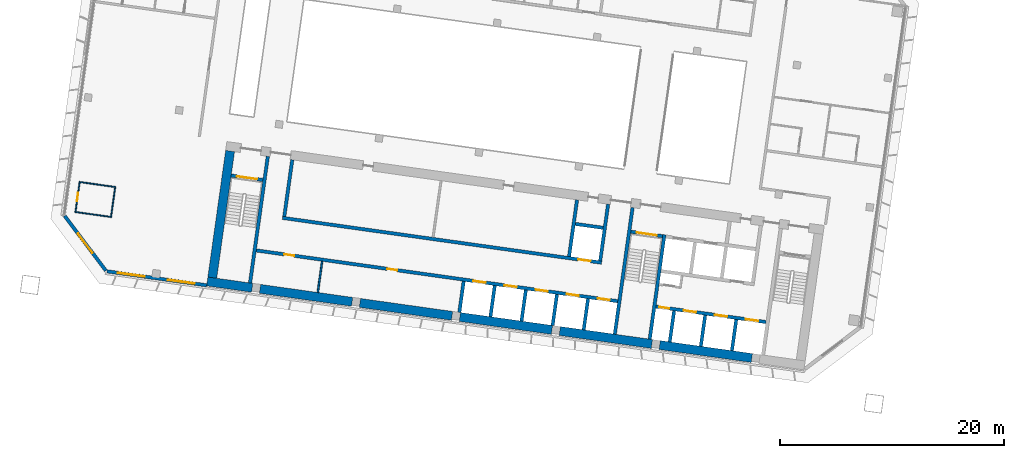
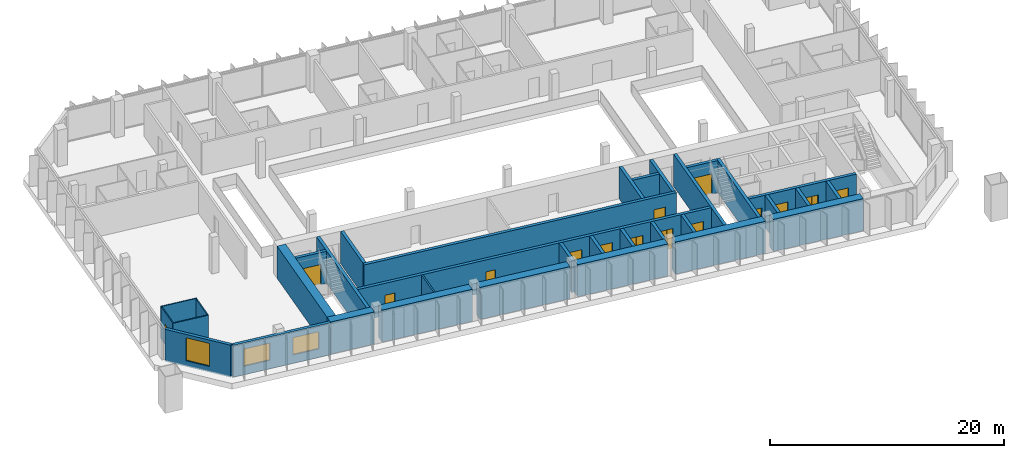
# One storey, part 14 of 25: 34 walls, 15 doors, 3 windows, 18 openings.
"""IFC4 building model written with IfcOpenShell, lengths in metres."""

import ifcopenshell
import ifcopenshell.guid

model = None  # the IFC model being written
_history = None  # IfcOwnerHistory: only IFC2X3 demands one
_inside = {}  # id of a spatial element -> (the spatial element, [elements in it])
_under = {}  # id of a project, library or spatial element -> (it, [spatial elements below it])
_declared = {}  # id of a project -> (the project, [libraries it declares])
_typed = {}  # id of a type object -> (the type object, [elements of that type])
_made_of = {}  # id of a material, layer set ... -> (it, [elements and type objects made of it])


def new_model(schema):
    """Start an empty IFC model of exactly this schema.

    Asked for "IFC4X3", IfcOpenShell would pick the latest addendum, in which some entities
    have other attributes; the version numbers below select the first issue.
    IFC2X3 requires an IfcOwnerHistory on every rooted entity: one is made here for all.
    """
    global model, _history
    if schema == "IFC4X3":
        model = ifcopenshell.file(schema_version=(4, 3, 0, 0))
    else:
        model = ifcopenshell.file(schema=schema)
    _inside.clear()
    _under.clear()
    _declared.clear()
    _typed.clear()
    _made_of.clear()
    _history = None
    if model.schema == "IFC2X3":
        org = make("IfcOrganization", Name="unknown")
        user = make(
            "IfcPersonAndOrganization",
            ThePerson=make("IfcPerson", FamilyName="unknown"),
            TheOrganization=org,
        )
        app = make(
            "IfcApplication",
            ApplicationDeveloper=org,
            Version="unknown",
            ApplicationFullName="unknown",
            ApplicationIdentifier="unknown",
        )
        _history = make(
            "IfcOwnerHistory",
            OwningUser=user,
            OwningApplication=app,
            ChangeAction="ADDED",
            CreationDate=0,
        )
    return model


def make(cls, **values):
    """One entity of the class cls with the attributes given. An attribute that is None is left unset."""
    return model.create_entity(
        cls, **{name: value for name, value in values.items() if value is not None}
    )


def rooted(cls, **values):
    """An entity with a GlobalId (a new one), such as an element, a storey or a relation."""
    return make(cls, GlobalId=ifcopenshell.guid.new(), OwnerHistory=_history, **values)


def si_unit(unit_type, name, prefix=None):
    """IfcSIUnit, for example si_unit("LENGTHUNIT", "METRE", prefix="MILLI")."""
    return make("IfcSIUnit", UnitType=unit_type, Prefix=prefix, Name=name)


def assignment(units):
    """IfcUnitAssignment: the units of a project."""
    return None if units is None else make("IfcUnitAssignment", Units=units)


def point(xyz):
    """IfcCartesianPoint."""
    return None if xyz is None else make("IfcCartesianPoint", Coordinates=xyz)


def direction(xyz):
    """IfcDirection."""
    return None if xyz is None else make("IfcDirection", DirectionRatios=xyz)


def frame(location, z_axis=None, x_axis=None):
    """IfcAxis2Placement3D, a coordinate frame: its origin and axes. An axis left out is left unset."""
    return make(
        "IfcAxis2Placement3D",
        Location=point(location),
        Axis=direction(z_axis),
        RefDirection=direction(x_axis),
    )


def frame_2d(location, x_axis=None):
    """IfcAxis2Placement2D, a coordinate frame in the plane: its origin and x axis."""
    return make(
        "IfcAxis2Placement2D", Location=point(location), RefDirection=direction(x_axis)
    )


def origin():
    """The frame at (0, 0, 0) with its axes left unset."""
    return frame((0.0, 0.0, 0.0))


def place(relative_to, where):
    """IfcLocalPlacement: puts the frame where relative to a parent placement (None: the world)."""
    return make(
        "IfcLocalPlacement", PlacementRelTo=relative_to, RelativePlacement=where
    )


def context(
    kind, dimensions, precision=None, world=None, true_north=None, identifier=None
):
    """IfcGeometricRepresentationContext, for example the 3D "Model" context."""
    return make(
        "IfcGeometricRepresentationContext",
        ContextIdentifier=identifier,
        ContextType=kind,
        CoordinateSpaceDimension=dimensions,
        Precision=precision,
        WorldCoordinateSystem=world,
        TrueNorth=true_north,
    )


def subcontext(parent, identifier, kind, view, scale=None):
    """IfcGeometricRepresentationSubContext, for example "Body" below "Model"."""
    return make(
        "IfcGeometricRepresentationSubContext",
        ContextIdentifier=identifier,
        ContextType=kind,
        ParentContext=parent,
        TargetScale=scale,
        TargetView=view,
    )


def project(units=None, contexts=None):
    """IfcProject with its units and contexts."""
    return rooted(
        "IfcProject",
        Name="project",
        RepresentationContexts=contexts,
        UnitsInContext=assignment(units),
    )


def spatial(cls, under=None, at=None, **own):
    """A site, building, storey or space (cls), placed at a placement, below another one or the project."""
    s = rooted(cls, ObjectPlacement=at, **own)
    if under is not None:
        _under.setdefault(under.id(), (under, []))[1].append(s)
    return s


def profile(cls, at=None, kind="AREA", **sizes):
    """A parametric profile (cls). Its sizes go by their IFC names, for example OverallWidth=200.0."""
    return make(cls, ProfileType=kind, Position=at, **sizes)


def rectangle(**sizes):
    """IfcRectangleProfileDef."""
    return profile("IfcRectangleProfileDef", **sizes)


def extrude(swept, where, along, depth):
    """IfcExtrudedAreaSolid: the profile swept, set in the frame where, extruded along a direction by depth."""
    return make(
        "IfcExtrudedAreaSolid",
        SweptArea=swept,
        Position=where,
        ExtrudedDirection=direction(along),
        Depth=depth,
    )


def shape(context_of_items, identifier, shape_type, items):
    """IfcShapeRepresentation: the items that make up one representation, for example the "Body"."""
    return make(
        "IfcShapeRepresentation",
        ContextOfItems=context_of_items,
        RepresentationIdentifier=identifier,
        RepresentationType=shape_type,
        Items=items,
    )


def material(Name=None, Category=None):
    """IfcMaterial."""
    return make("IfcMaterial", Name=Name, Category=Category)


def layer(
    of_material, thickness, ventilated=None, Name=None, Category=None, Priority=None
):
    """IfcMaterialLayer: one layer of a wall or slab, of a material (None: an air gap)."""
    return make(
        "IfcMaterialLayer",
        Material=of_material,
        LayerThickness=thickness,
        IsVentilated=ventilated,
        Name=Name,
        Category=Category,
        Priority=Priority,
    )


def layer_set(layers, Name=None):
    """IfcMaterialLayerSet."""
    return make("IfcMaterialLayerSet", MaterialLayers=layers, LayerSetName=Name)


def made_of(thing, what):
    """Note that an element or type object is made of a material, layer set ...; save() writes the relation."""
    if what is not None:
        _made_of.setdefault(what.id(), (what, []))[1].append(thing)
    return thing


def type_object(cls, material=None, **own):
    """A type object (cls), such as IfcWallType, which elements share."""
    return made_of(rooted(cls, **own), material)


def element(
    cls,
    number,
    at=None,
    inside=None,
    cuts=None,
    type_object=None,
    material=None,
    context=None,
    identifier="Body",
    shape_type=None,
    held_by="IfcProductDefinitionShape",
    body=None,
    shapes=None,
    **own,
):
    """One element of the class cls, such as IfcWall. Its Tag is "e" and its number.

    at: its placement. inside: the storey or other place that contains it. cuts: it is an
    opening in that element (IfcRelVoidsElement). A single representation is given by context,
    identifier, shape_type and body (its items); several are given by shapes. held_by: the class
    of the entity that holds the representations. save() writes the other relations.
    """
    e = rooted(cls, Tag="e%d" % number, ObjectPlacement=at, **own)
    if body is not None:
        shapes = [shape(context, identifier, shape_type, body)]
    if shapes is not None:
        e.Representation = make(held_by, Representations=shapes)
    if inside is not None:
        _inside.setdefault(inside.id(), (inside, []))[1].append(e)
    if cuts is not None:
        rooted(
            "IfcRelVoidsElement", RelatingBuildingElement=cuts, RelatedOpeningElement=e
        )
    if type_object is not None:
        _typed.setdefault(type_object.id(), (type_object, []))[1].append(e)
    return made_of(e, material)


def fill(opening, filler):
    """IfcRelFillsElement: the door or window that sits in an opening."""
    return rooted(
        "IfcRelFillsElement",
        RelatingOpeningElement=opening,
        RelatedBuildingElement=filler,
    )


def aggregate(whole, parts):
    """IfcRelAggregates: a whole, such as a stair, and the parts it consists of."""
    return rooted("IfcRelAggregates", RelatingObject=whole, RelatedObjects=parts)


def save(model, path):
    """Write the relations noted so far, then the file.

    IfcRelAggregates (storeys below a building ...), IfcRelContainedInSpatialStructure (elements
    in a storey), IfcRelDefinesByType, IfcRelAssociatesMaterial and IfcRelDeclares: one each for
    every whole, place, type object, material and project.
    """
    for whole, parts in _under.values():
        aggregate(whole, parts)
    for where, things in _inside.values():
        rooted(
            "IfcRelContainedInSpatialStructure",
            RelatedElements=things,
            RelatingStructure=where,
        )
    for kind, things in _typed.values():
        rooted("IfcRelDefinesByType", RelatedObjects=things, RelatingType=kind)
    for what, things in _made_of.values():
        rooted("IfcRelAssociatesMaterial", RelatedObjects=things, RelatingMaterial=what)
    for by, libraries in _declared.values():
        rooted("IfcRelDeclares", RelatingContext=by, RelatedDefinitions=libraries)
    model.write(path)


model = new_model("IFC4")

# Units and contexts
model_context = context("Model", 3, precision=1e-05, world=origin(), true_north=direction((0.0, 1.0)))
body_context = subcontext(model_context, "Body", "Model", "MODEL_VIEW")
ifc_project = project(units=[si_unit("LENGTHUNIT", "METRE"), si_unit("AREAUNIT", "SQUARE_METRE"), si_unit("VOLUMEUNIT", "CUBIC_METRE"), si_unit("PLANEANGLEUNIT", "RADIAN"), si_unit("MASSUNIT", "GRAM", prefix="KILO")], contexts=[model_context])

# Site, building, storey
site_placement = place(None, origin())
site = spatial("IfcSite", under=ifc_project, at=site_placement, CompositionType="ELEMENT")
building_placement = place(site_placement, origin())
building = spatial("IfcBuilding", under=site, at=building_placement, Name="Mirante Cascada Hotel Towers", CompositionType="ELEMENT")
storey_placement = place(building_placement, frame((0.0, 0.0, 129.1)))
storey = spatial("IfcBuildingStorey", under=building, at=storey_placement, Name="L29", CompositionType="ELEMENT", Elevation=129.1)

# Walls
ifc_material_1 = material(Name="Masonry block", Category="masonry")
ifc_layer_1 = layer(ifc_material_1, 0.15)
ifc_layer_set_1 = layer_set([ifc_layer_1], Name="Core room partition 150 block EI 30")
wall_type_1 = type_object("IfcWallType", Name="Core room partition 150 block EI 30", PredefinedType="PARTITIONING", material=ifc_layer_set_1)
wall_1_placement = place(storey_placement, frame((-80.547, -13.174, 0.0), z_axis=(0.0, 0.0, 1.0), x_axis=(0.139176, 0.9902677, 0.0)))
element("IfcWall", 1, at=wall_1_placement, inside=storey, type_object=wall_type_1, Name="Core wall partition T1 L29 4", PredefinedType="PARTITIONING", context=body_context, shape_type="SweptSolid", body=[
    extrude(rectangle(XDim=2.8001, YDim=0.15, at=frame_2d((1.4, 0.0))), origin(), (0.0, 0.0, 1.0), 3.35),
])
ifc_material_2 = material(Name="Plasterboard on metal studs")
ifc_layer_2 = layer(ifc_material_2, 0.1)
ifc_layer_set_2 = layer_set([ifc_layer_2], Name="Partition 100")
wall_type_2 = type_object("IfcWallType", Name="Partition 100", PredefinedType="PARTITIONING", material=ifc_layer_set_2)
wall_2_placement = place(storey_placement, frame((-102.2079, -5.9894, 0.0), z_axis=(0.0, 0.0, 1.0), x_axis=(0.9902664, -0.1391852, 0.0)))
element("IfcWall", 2, at=wall_2_placement, inside=storey, type_object=wall_type_2, Name="Wall 1-L29-01", PredefinedType="PARTITIONING", context=body_context, shape_type="SweptSolid", body=[
    extrude(rectangle(XDim=3.2999, YDim=0.1, at=frame_2d((1.65, 0.0))), origin(), (0.0, 0.0, 1.0), 3.35),
])
wall_3_placement = place(storey_placement, frame((-98.5643, -3.775, 0.0), z_axis=(0.0, 0.0, 1.0), x_axis=(-0.990267, 0.139181, 0.0)))
element("IfcWall", 3, at=wall_3_placement, inside=storey, type_object=wall_type_2, Name="Wall 1-L29-02", PredefinedType="PARTITIONING", context=body_context, shape_type="SweptSolid", body=[
    extrude(rectangle(XDim=3.3, YDim=0.1, at=frame_2d((1.65, 0.0))), origin(), (0.0, 0.0, 1.0), 3.35),
])
wall_4_placement = place(storey_placement, frame((-98.6208, -3.8175, 0.0), z_axis=(0.0, 0.0, 1.0), x_axis=(-0.1391541, -0.9902707, 0.0)))
element("IfcWall", 4, at=wall_4_placement, inside=storey, type_object=wall_type_2, Name="Wall 1-L29-47", PredefinedType="PARTITIONING", context=body_context, shape_type="SweptSolid", body=[
    extrude(rectangle(XDim=2.6, YDim=0.1, at=frame_2d((1.3, 0.0))), origin(), (0.0, 0.0, 1.0), 3.35),
])

# Wall, opening, door
wall_5_placement = place(storey_placement, frame((-101.7896, -3.3722, 0.0), z_axis=(0.0, 0.0, 1.0), x_axis=(-0.1391918, -0.9902654, 0.0)))
wall_5 = element("IfcWall", 5, at=wall_5_placement, inside=storey, type_object=wall_type_2, Name="Wall 1-L29-49", PredefinedType="PARTITIONING", context=body_context, shape_type="SweptSolid", body=[
    extrude(rectangle(XDim=2.6, YDim=0.1, at=frame_2d((1.3, 0.0))), origin(), (0.0, 0.0, 1.0), 3.35),
])
opening_1_placement = place(wall_5_placement, frame((0.9, 0.0, 0.0)))
opening_1 = element("IfcOpeningElement", 6, at=opening_1_placement, cuts=wall_5, Name="Opening D1-L29-29", PredefinedType="OPENING", context=body_context, shape_type="SweptSolid", body=[
    extrude(rectangle(XDim=0.8, YDim=2.1, at=frame_2d((0.4, 1.05))), frame((0.0, 0.05, 0.0), z_axis=(0.0, -1.0, 0.0), x_axis=(1.0, 0.0, 0.0)), (0.0, 0.0, 1.0), 0.1),
])
ifc_material_3 = material(Name="Timber door leaf", Category="wood")
door_type_1 = type_object("IfcDoorType", Name="Bathroom door DG4 800x2100", OperationType="SINGLE_SWING_LEFT", PredefinedType="DOOR", material=ifc_material_3)
door_1_placement = place(opening_1_placement, origin())
door_1 = element("IfcDoor", 7, at=door_1_placement, inside=storey, type_object=door_type_1, Name="Door D1-L29-29", OperationType="SINGLE_SWING_LEFT", OverallHeight=2.1, OverallWidth=0.8, PredefinedType="DOOR", context=body_context, shape_type="SweptSolid", body=[
    extrude(rectangle(XDim=0.8, YDim=2.1, at=frame_2d((0.4, 1.05))), frame((0.0, 0.025, 0.0), z_axis=(0.0, -1.0, 0.0), x_axis=(1.0, 0.0, 0.0)), (0.0, 0.0, 1.0), 0.05),
])
fill(opening_1, door_1)

# Wall, openings, windows
ifc_material_4 = material(Name="Precast concrete C40/50", Category="concrete")
ifc_layer_3 = layer(ifc_material_4, 0.3)
ifc_layer_set_3 = layer_set([ifc_layer_3], Name="Precast concrete C40/50 cladding wall 300")
wall_type_3 = type_object("IfcWallType", Name="Precast concrete C40/50 cladding wall 300", PredefinedType="STANDARD", material=ifc_layer_set_3)
wall_6_placement = place(storey_placement, frame((-90.4551, -12.5388, 0.0), z_axis=(0.0, 0.0, 1.0), x_axis=(-0.9902678, 0.1391749, 0.0)))
wall_6 = element("IfcWall", 8, at=wall_6_placement, inside=storey, type_object=wall_type_3, Name="Rear cladding wall T1 L29 1", PredefinedType="STANDARD", context=body_context, shape_type="SweptSolid", body=[
    extrude(rectangle(XDim=8.9758, YDim=0.3, at=frame_2d((4.4879, 0.0))), origin(), (0.0, 0.0, 1.0), 3.35),
])
opening_2_placement = place(wall_6_placement, frame((1.1012, 0.0, 0.9)))
opening_2 = element("IfcOpeningElement", 9, at=opening_2_placement, cuts=wall_6, Name="Opening W1-29-01", PredefinedType="OPENING", context=body_context, shape_type="SweptSolid", body=[
    extrude(rectangle(XDim=2.4, YDim=1.8, at=frame_2d((1.2, 0.9))), frame((0.0, 0.15, 0.0), z_axis=(0.0, -1.0, 0.0), x_axis=(1.0, 0.0, 0.0)), (0.0, 0.0, 1.0), 0.3),
])
opening_3_placement = place(wall_6_placement, frame((5.5923, 0.0, 0.9)))
opening_3 = element("IfcOpeningElement", 10, at=opening_3_placement, cuts=wall_6, Name="Opening W1-29-02", PredefinedType="OPENING", context=body_context, shape_type="SweptSolid", body=[
    extrude(rectangle(XDim=2.4, YDim=1.8, at=frame_2d((1.2, 0.9))), frame((0.0, 0.15, 0.0), z_axis=(0.0, -1.0, 0.0), x_axis=(1.0, 0.0, 0.0)), (0.0, 0.0, 1.0), 0.3),
])
ifc_material_5 = material(Name="Aluminium frame with clear double glazing", Category="aluminium")
window_type_1 = type_object("IfcWindowType", Name="Punched window 2400x1800", PartitioningType="DOUBLE_PANEL_VERTICAL", PredefinedType="WINDOW", material=ifc_material_5)
window_1_placement = place(opening_2_placement, origin())
window_1 = element("IfcWindow", 11, at=window_1_placement, inside=storey, type_object=window_type_1, Name="Window W1-29-01", OverallHeight=1.8, OverallWidth=2.4, PartitioningType="SINGLE_PANEL", PredefinedType="WINDOW", context=body_context, shape_type="SweptSolid", body=[
    extrude(rectangle(XDim=2.4, YDim=1.8, at=frame_2d((1.2, 0.9))), frame((0.0, 0.03, 0.0), z_axis=(0.0, -1.0, 0.0), x_axis=(1.0, 0.0, 0.0)), (0.0, 0.0, 1.0), 0.06),
])
fill(opening_2, window_1)
window_2_placement = place(opening_3_placement, origin())
window_2 = element("IfcWindow", 12, at=window_2_placement, inside=storey, type_object=window_type_1, Name="Window W1-29-02", OverallHeight=1.8, OverallWidth=2.4, PartitioningType="SINGLE_PANEL", PredefinedType="WINDOW", context=body_context, shape_type="SweptSolid", body=[
    extrude(rectangle(XDim=2.4, YDim=1.8, at=frame_2d((1.2, 0.9))), frame((0.0, 0.03, 0.0), z_axis=(0.0, -1.0, 0.0), x_axis=(1.0, 0.0, 0.0)), (0.0, 0.0, 1.0), 0.06),
])
fill(opening_3, window_2)

# Wall, opening, window
wall_7_placement = place(storey_placement, frame((-99.4424, -11.2313, 0.0), z_axis=(0.0, 0.0, 1.0), x_axis=(-0.6018194, 0.7986322, 0.0)))
wall_7 = element("IfcWall", 13, at=wall_7_placement, inside=storey, type_object=wall_type_3, Name="Corner cladding wall T1 L29 rear outer", PredefinedType="STANDARD", context=body_context, shape_type="SweptSolid", body=[
    extrude(rectangle(XDim=6.1155, YDim=0.3, at=frame_2d((3.0578, 0.0))), origin(), (0.0, 0.0, 1.0), 3.35),
])
opening_4_placement = place(wall_7_placement, frame((1.9576, 0.0, 0.6)))
opening_4 = element("IfcOpeningElement", 14, at=opening_4_placement, cuts=wall_7, Name="Opening W1-29-03", PredefinedType="OPENING", context=body_context, shape_type="SweptSolid", body=[
    extrude(rectangle(XDim=2.2, YDim=2.4, at=frame_2d((1.1, 1.2))), frame((0.0, 0.15, 0.0), z_axis=(0.0, -1.0, 0.0), x_axis=(1.0, 0.0, 0.0)), (0.0, 0.0, 1.0), 0.3),
])
ifc_material_6 = material(Name="Aluminium frame with clear double glazing", Category="aluminium")
window_type_2 = type_object("IfcWindowType", Name="Corner suite window 2200x2400", PartitioningType="DOUBLE_PANEL_VERTICAL", PredefinedType="WINDOW", material=ifc_material_6)
window_3_placement = place(opening_4_placement, origin())
window_3 = element("IfcWindow", 15, at=window_3_placement, inside=storey, type_object=window_type_2, Name="Window W1-29-03", OverallHeight=2.4, OverallWidth=2.2, PartitioningType="SINGLE_PANEL", PredefinedType="WINDOW", context=body_context, shape_type="SweptSolid", body=[
    extrude(rectangle(XDim=2.2, YDim=2.4, at=frame_2d((1.1, 1.2))), frame((0.0, 0.03, 0.0), z_axis=(0.0, -1.0, 0.0), x_axis=(1.0, 0.0, 0.0)), (0.0, 0.0, 1.0), 0.06),
])
fill(opening_4, window_3)

# Walls
ifc_material_7 = material(Name="Concrete C50/60", Category="concrete")
ifc_layer_4 = layer(ifc_material_7, 0.3)
ifc_layer_set_4 = layer_set([ifc_layer_4], Name="RC core wall 300 C50/60")
wall_type_4 = type_object("IfcWallType", Name="RC core wall 300 C50/60", PredefinedType="SHEAR", material=ifc_layer_set_4)
wall_8_placement = place(storey_placement, frame((-50.938, -17.3352, 0.0), z_axis=(0.0, 0.0, 1.0), x_axis=(0.1391706, 0.9902684, 0.0)))
element("IfcWall", 16, at=wall_8_placement, inside=storey, type_object=wall_type_4, Name="Core wall T1:L29:6", PredefinedType="SHEAR", context=body_context, shape_type="SweptSolid", body=[
    extrude(rectangle(XDim=9.4, YDim=0.3, at=frame_2d((4.7, 0.0))), origin(), (0.0, 0.0, 1.0), 3.35),
])
wall_9_placement = place(storey_placement, frame((-54.0574, -16.8968, 0.0), z_axis=(0.0, 0.0, 1.0), x_axis=(0.1391761, 0.9902677, 0.0)))
element("IfcWall", 17, at=wall_9_placement, inside=storey, type_object=wall_type_4, Name="Core wall T1:L29:7", PredefinedType="SHEAR", context=body_context, shape_type="SweptSolid", body=[
    extrude(rectangle(XDim=11.3999, YDim=0.3, at=frame_2d((5.7, 0.0))), origin(), (0.0, 0.0, 1.0), 3.35),
])
wall_10_placement = place(storey_placement, frame((-86.5877, -12.325, 0.0), z_axis=(0.0, 0.0, 1.0), x_axis=(0.1391749, 0.9902678, 0.0)))
element("IfcWall", 18, at=wall_10_placement, inside=storey, type_object=wall_type_4, Name="Core wall T1:L29:8", PredefinedType="SHEAR", context=body_context, shape_type="SweptSolid", body=[
    extrude(rectangle(XDim=11.4, YDim=0.3, at=frame_2d((5.7, 0.0))), origin(), (0.0, 0.0, 1.0), 3.35),
])

# Wall, opening, door
wall_11_placement = place(storey_placement, frame((-49.7992, -8.1544, 0.0), z_axis=(0.0, 0.0, 1.0), x_axis=(-0.9902656, 0.1391909, 0.0)))
wall_11 = element("IfcWall", 19, at=wall_11_placement, inside=storey, type_object=wall_type_4, Name="Core wall T1:L29:10", PredefinedType="SHEAR", context=body_context, shape_type="SweptSolid", body=[
    extrude(rectangle(XDim=2.85, YDim=0.3, at=frame_2d((1.425, 0.0))), origin(), (0.0, 0.0, 1.0), 3.35),
])
opening_5_placement = place(wall_11_placement, frame((0.525, 0.0, 0.0)))
opening_5 = element("IfcOpeningElement", 20, at=opening_5_placement, cuts=wall_11, Name="Opening D1-29-C15", PredefinedType="OPENING", context=body_context, shape_type="SweptSolid", body=[
    extrude(rectangle(XDim=1.8, YDim=2.1, at=frame_2d((0.9, 1.05))), frame((0.0, 0.15, 0.0), z_axis=(0.0, -1.0, 0.0), x_axis=(1.0, 0.0, 0.0)), (0.0, 0.0, 1.0), 0.3),
])
ifc_material_8 = material(Name="Hollow metal fire door leaf")
door_type_2 = type_object("IfcDoorType", Name="Double fire door 1800x2100 FD60", OperationType="DOUBLE_DOOR_SINGLE_SWING", PredefinedType="DOOR", material=ifc_material_8)
door_2_placement = place(opening_5_placement, origin())
door_2 = element("IfcDoor", 21, at=door_2_placement, inside=storey, type_object=door_type_2, Name="Stair door T1 L29 15", OperationType="DOUBLE_DOOR_SINGLE_SWING", OverallHeight=2.1, OverallWidth=1.8, PredefinedType="DOOR", context=body_context, shape_type="SweptSolid", body=[
    extrude(rectangle(XDim=0.895, YDim=2.1, at=frame_2d((0.4475, 1.05))), frame((0.0, 0.025, 0.0), z_axis=(0.0, -1.0, 0.0), x_axis=(1.0, 0.0, 0.0)), (0.0, 0.0, 1.0), 0.05),
    extrude(rectangle(XDim=0.895, YDim=2.1, at=frame_2d((1.3525, 1.05))), frame((0.0, 0.025, 0.0), z_axis=(0.0, -1.0, 0.0), x_axis=(1.0, 0.0, 0.0)), (0.0, 0.0, 1.0), 0.05),
])
fill(opening_5, door_2)

wall_12_placement = place(storey_placement, frame((-85.4489, -3.1441, 0.0), z_axis=(0.0, 0.0, 1.0), x_axis=(-0.9902697, 0.1391613, 0.0)))
wall_12 = element("IfcWall", 22, at=wall_12_placement, inside=storey, type_object=wall_type_4, Name="Core wall T1:L29:11", PredefinedType="SHEAR", context=body_context, shape_type="SweptSolid", body=[
    extrude(rectangle(XDim=2.8499, YDim=0.3, at=frame_2d((1.425, 0.0))), origin(), (0.0, 0.0, 1.0), 3.35),
])
opening_6_placement = place(wall_12_placement, frame((0.525, 0.0, 0.0)))
opening_6 = element("IfcOpeningElement", 23, at=opening_6_placement, cuts=wall_12, Name="Opening D1-29-C17", PredefinedType="OPENING", context=body_context, shape_type="SweptSolid", body=[
    extrude(rectangle(XDim=1.8, YDim=2.1, at=frame_2d((0.9, 1.05))), frame((0.0, 0.15, 0.0), z_axis=(0.0, -1.0, 0.0), x_axis=(1.0, 0.0, 0.0)), (0.0, 0.0, 1.0), 0.3),
])
door_3_placement = place(opening_6_placement, origin())
door_3 = element("IfcDoor", 24, at=door_3_placement, inside=storey, type_object=door_type_2, Name="Stair door T1 L29 17", OperationType="DOUBLE_DOOR_SINGLE_SWING", OverallHeight=2.1, OverallWidth=1.8, PredefinedType="DOOR", context=body_context, shape_type="SweptSolid", body=[
    extrude(rectangle(XDim=0.895, YDim=2.1, at=frame_2d((0.4475, 1.05))), frame((0.0, 0.025, 0.0), z_axis=(0.0, -1.0, 0.0), x_axis=(1.0, 0.0, 0.0)), (0.0, 0.0, 1.0), 0.05),
    extrude(rectangle(XDim=0.895, YDim=2.1, at=frame_2d((1.3525, 1.05))), frame((0.0, 0.025, 0.0), z_axis=(0.0, -1.0, 0.0), x_axis=(1.0, 0.0, 0.0)), (0.0, 0.0, 1.0), 0.05),
])
fill(opening_6, door_3)

# Wall, openings, doors
wall_13_placement = place(storey_placement, frame((-40.5753, -15.8126, 0.0), z_axis=(0.0, 0.0, 1.0), x_axis=(-0.9902682, 0.1391725, 0.0)))
wall_13 = element("IfcWall", 25, at=wall_13_placement, inside=storey, type_object=wall_type_4, Name="Core wall T1:L29:12", PredefinedType="SHEAR", context=body_context, shape_type="SweptSolid", body=[
    extrude(rectangle(XDim=9.8999, YDim=0.3, at=frame_2d((4.95, 0.0))), origin(), (0.0, 0.0, 1.0), 3.35),
])
opening_7_placement = place(wall_13_placement, frame((0.7, 0.0, 0.0)))
opening_7 = element("IfcOpeningElement", 26, at=opening_7_placement, cuts=wall_13, Name="Opening LD", PredefinedType="OPENING", context=body_context, shape_type="SweptSolid", body=[
    extrude(rectangle(XDim=1.1, YDim=2.1, at=frame_2d((0.55, 1.05))), frame((0.0, 0.15, 0.0), z_axis=(0.0, -1.0, 0.0), x_axis=(1.0, 0.0, 0.0)), (0.0, 0.0, 1.0), 0.3),
])
opening_8_placement = place(wall_13_placement, frame((3.5, 0.0, 0.0)))
opening_8 = element("IfcOpeningElement", 27, at=opening_8_placement, cuts=wall_13, Name="Opening LD", PredefinedType="OPENING", context=body_context, shape_type="SweptSolid", body=[
    extrude(rectangle(XDim=1.1, YDim=2.1, at=frame_2d((0.55, 1.05))), frame((0.0, 0.15, 0.0), z_axis=(0.0, -1.0, 0.0), x_axis=(1.0, 0.0, 0.0)), (0.0, 0.0, 1.0), 0.3),
])
opening_9_placement = place(wall_13_placement, frame((6.3, 0.0, 0.0)))
opening_9 = element("IfcOpeningElement", 28, at=opening_9_placement, cuts=wall_13, Name="Opening LD", PredefinedType="OPENING", context=body_context, shape_type="SweptSolid", body=[
    extrude(rectangle(XDim=1.1, YDim=2.1, at=frame_2d((0.55, 1.05))), frame((0.0, 0.15, 0.0), z_axis=(0.0, -1.0, 0.0), x_axis=(1.0, 0.0, 0.0)), (0.0, 0.0, 1.0), 0.3),
])
opening_10_placement = place(wall_13_placement, frame((8.7, 0.0, 0.0)))
opening_10 = element("IfcOpeningElement", 29, at=opening_10_placement, cuts=wall_13, Name="Opening D1-29-C22", PredefinedType="OPENING", context=body_context, shape_type="SweptSolid", body=[
    extrude(rectangle(XDim=0.9, YDim=2.1, at=frame_2d((0.45, 1.05))), frame((0.0, 0.15, 0.0), z_axis=(0.0, -1.0, 0.0), x_axis=(1.0, 0.0, 0.0)), (0.0, 0.0, 1.0), 0.3),
])
ifc_material_9 = material(Name="Hollow metal fire door leaf")
door_type_3 = type_object("IfcDoorType", Name="Fire door 900x2100 FD60", OperationType="NOTDEFINED", PredefinedType="DOOR", material=ifc_material_9)
door_4_placement = place(opening_10_placement, origin())
door_4 = element("IfcDoor", 30, at=door_4_placement, inside=storey, type_object=door_type_3, Name="Riser door T1 L29 22", OperationType="SINGLE_SWING_LEFT", OverallHeight=2.1, OverallWidth=0.9, PredefinedType="DOOR", context=body_context, shape_type="SweptSolid", body=[
    extrude(rectangle(XDim=0.9, YDim=2.1, at=frame_2d((0.45, 1.05))), frame((0.0, 0.025, 0.0), z_axis=(0.0, -1.0, 0.0), x_axis=(1.0, 0.0, 0.0)), (0.0, 0.0, 1.0), 0.05),
])
fill(opening_10, door_4)
ifc_material_10 = material(Name="Stainless steel", Category="steel")
door_type_4 = type_object("IfcDoorType", Name="Lift landing door 1100x2100 EI 120", OperationType="DOUBLE_DOOR_SLIDING", PredefinedType="DOOR", material=ifc_material_10)
door_5_placement = place(opening_7_placement, origin())
door_5 = element("IfcDoor", 31, at=door_5_placement, inside=storey, type_object=door_type_4, Name="Lift landing door HR1-1 L29", OperationType="DOUBLE_DOOR_SLIDING", OverallHeight=2.1, OverallWidth=1.1, PredefinedType="DOOR", context=body_context, shape_type="SweptSolid", body=[
    extrude(rectangle(XDim=0.545, YDim=2.1, at=frame_2d((0.2725, 1.05))), frame((0.0, 0.025, 0.0), z_axis=(0.0, -1.0, 0.0), x_axis=(1.0, 0.0, 0.0)), (0.0, 0.0, 1.0), 0.05),
    extrude(rectangle(XDim=0.545, YDim=2.1, at=frame_2d((0.8275, 1.05))), frame((0.0, 0.025, 0.0), z_axis=(0.0, -1.0, 0.0), x_axis=(1.0, 0.0, 0.0)), (0.0, 0.0, 1.0), 0.05),
])
fill(opening_7, door_5)
door_6_placement = place(opening_8_placement, origin())
door_6 = element("IfcDoor", 32, at=door_6_placement, inside=storey, type_object=door_type_4, Name="Lift landing door HR1-2 L29", OperationType="DOUBLE_DOOR_SLIDING", OverallHeight=2.1, OverallWidth=1.1, PredefinedType="DOOR", context=body_context, shape_type="SweptSolid", body=[
    extrude(rectangle(XDim=0.545, YDim=2.1, at=frame_2d((0.2725, 1.05))), frame((0.0, 0.025, 0.0), z_axis=(0.0, -1.0, 0.0), x_axis=(1.0, 0.0, 0.0)), (0.0, 0.0, 1.0), 0.05),
    extrude(rectangle(XDim=0.545, YDim=2.1, at=frame_2d((0.8275, 1.05))), frame((0.0, 0.025, 0.0), z_axis=(0.0, -1.0, 0.0), x_axis=(1.0, 0.0, 0.0)), (0.0, 0.0, 1.0), 0.05),
])
fill(opening_8, door_6)
door_7_placement = place(opening_9_placement, origin())
door_7 = element("IfcDoor", 33, at=door_7_placement, inside=storey, type_object=door_type_4, Name="Lift landing door HR1-3 L29", OperationType="DOUBLE_DOOR_SLIDING", OverallHeight=2.1, OverallWidth=1.1, PredefinedType="DOOR", context=body_context, shape_type="SweptSolid", body=[
    extrude(rectangle(XDim=0.545, YDim=2.1, at=frame_2d((0.2725, 1.05))), frame((0.0, 0.025, 0.0), z_axis=(0.0, -1.0, 0.0), x_axis=(1.0, 0.0, 0.0)), (0.0, 0.0, 1.0), 0.05),
    extrude(rectangle(XDim=0.545, YDim=2.1, at=frame_2d((0.8275, 1.05))), frame((0.0, 0.025, 0.0), z_axis=(0.0, -1.0, 0.0), x_axis=(1.0, 0.0, 0.0)), (0.0, 0.0, 1.0), 0.05),
])
fill(opening_9, door_7)

# Walls
wall_14_placement = place(storey_placement, frame((-43.61, -18.3651, 0.0), z_axis=(0.0, 0.0, 1.0), x_axis=(0.1391459, 0.9902719, 0.0)))
element("IfcWall", 34, at=wall_14_placement, inside=storey, type_object=wall_type_4, Name="Core wall T1:L29:15", PredefinedType="SHEAR", context=body_context, shape_type="SweptSolid", body=[
    extrude(rectangle(XDim=2.7999, YDim=0.3, at=frame_2d((1.4, 0.0))), origin(), (0.0, 0.0, 1.0), 3.35),
])
wall_15_placement = place(storey_placement, frame((-46.3828, -17.9754, 0.0), z_axis=(0.0, 0.0, 1.0), x_axis=(0.139181, 0.990267, 0.0)))
element("IfcWall", 35, at=wall_15_placement, inside=storey, type_object=wall_type_4, Name="Core wall T1:L29:16", PredefinedType="SHEAR", context=body_context, shape_type="SweptSolid", body=[
    extrude(rectangle(XDim=2.8, YDim=0.3, at=frame_2d((1.4, 0.0))), origin(), (0.0, 0.0, 1.0), 3.35),
])
wall_16_placement = place(storey_placement, frame((-49.1555, -17.5857, 0.0), z_axis=(0.0, 0.0, 1.0), x_axis=(0.1391459, 0.9902719, 0.0)))
element("IfcWall", 36, at=wall_16_placement, inside=storey, type_object=wall_type_4, Name="Core wall T1:L29:17", PredefinedType="SHEAR", context=body_context, shape_type="SweptSolid", body=[
    extrude(rectangle(XDim=2.7999, YDim=0.3, at=frame_2d((1.4, 0.0))), origin(), (0.0, 0.0, 1.0), 3.35),
])

# Wall, openings, doors
wall_17_placement = place(storey_placement, frame((-53.7953, -13.9547, 0.0), z_axis=(0.0, 0.0, 1.0), x_axis=(-0.990268, 0.1391733, 0.0)))
wall_17 = element("IfcWall", 37, at=wall_17_placement, inside=storey, type_object=wall_type_4, Name="Core wall T1:L29:24", PredefinedType="SHEAR", context=body_context, shape_type="SweptSolid", body=[
    extrude(rectangle(XDim=32.5501, YDim=0.3, at=frame_2d((16.275, 0.0))), origin(), (0.0, 0.0, 1.0), 3.35),
])
opening_11_placement = place(wall_17_placement, frame((0.7, 0.0, 0.0)))
opening_11 = element("IfcOpeningElement", 38, at=opening_11_placement, cuts=wall_17, Name="Opening LD", PredefinedType="OPENING", context=body_context, shape_type="SweptSolid", body=[
    extrude(rectangle(XDim=1.1, YDim=2.1, at=frame_2d((0.55, 1.05))), frame((0.0, 0.15, 0.0), z_axis=(0.0, -1.0, 0.0), x_axis=(1.0, 0.0, 0.0)), (0.0, 0.0, 1.0), 0.3),
])
opening_12_placement = place(wall_17_placement, frame((3.5, 0.0, 0.0)))
opening_12 = element("IfcOpeningElement", 39, at=opening_12_placement, cuts=wall_17, Name="Opening LD", PredefinedType="OPENING", context=body_context, shape_type="SweptSolid", body=[
    extrude(rectangle(XDim=1.1, YDim=2.1, at=frame_2d((0.55, 1.05))), frame((0.0, 0.15, 0.0), z_axis=(0.0, -1.0, 0.0), x_axis=(1.0, 0.0, 0.0)), (0.0, 0.0, 1.0), 0.3),
])
opening_13_placement = place(wall_17_placement, frame((6.3, 0.0, 0.0)))
opening_13 = element("IfcOpeningElement", 40, at=opening_13_placement, cuts=wall_17, Name="Opening LD", PredefinedType="OPENING", context=body_context, shape_type="SweptSolid", body=[
    extrude(rectangle(XDim=1.1, YDim=2.1, at=frame_2d((0.55, 1.05))), frame((0.0, 0.15, 0.0), z_axis=(0.0, -1.0, 0.0), x_axis=(1.0, 0.0, 0.0)), (0.0, 0.0, 1.0), 0.3),
])
opening_14_placement = place(wall_17_placement, frame((9.1, 0.0, 0.0)))
opening_14 = element("IfcOpeningElement", 41, at=opening_14_placement, cuts=wall_17, Name="Opening LD", PredefinedType="OPENING", context=body_context, shape_type="SweptSolid", body=[
    extrude(rectangle(XDim=1.1, YDim=2.1, at=frame_2d((0.55, 1.05))), frame((0.0, 0.15, 0.0), z_axis=(0.0, -1.0, 0.0), x_axis=(1.0, 0.0, 0.0)), (0.0, 0.0, 1.0), 0.3),
])
opening_15_placement = place(wall_17_placement, frame((11.9, 0.0, 0.0)))
opening_15 = element("IfcOpeningElement", 42, at=opening_15_placement, cuts=wall_17, Name="Opening LD", PredefinedType="OPENING", context=body_context, shape_type="SweptSolid", body=[
    extrude(rectangle(XDim=1.1, YDim=2.1, at=frame_2d((0.55, 1.05))), frame((0.0, 0.15, 0.0), z_axis=(0.0, -1.0, 0.0), x_axis=(1.0, 0.0, 0.0)), (0.0, 0.0, 1.0), 0.3),
])
opening_16_placement = place(wall_17_placement, frame((19.85, 0.0, 0.0)))
opening_16 = element("IfcOpeningElement", 43, at=opening_16_placement, cuts=wall_17, Name="Opening D1-29-C25", PredefinedType="OPENING", context=body_context, shape_type="SweptSolid", body=[
    extrude(rectangle(XDim=0.9, YDim=2.1, at=frame_2d((0.45, 1.05))), frame((0.0, 0.15, 0.0), z_axis=(0.0, -1.0, 0.0), x_axis=(1.0, 0.0, 0.0)), (0.0, 0.0, 1.0), 0.3),
])
opening_17_placement = place(wall_17_placement, frame((29.125, 0.0, 0.0)))
opening_17 = element("IfcOpeningElement", 44, at=opening_17_placement, cuts=wall_17, Name="Opening D1-29-C26", PredefinedType="OPENING", context=body_context, shape_type="SweptSolid", body=[
    extrude(rectangle(XDim=0.9, YDim=2.1, at=frame_2d((0.45, 1.05))), frame((0.0, 0.15, 0.0), z_axis=(0.0, -1.0, 0.0), x_axis=(1.0, 0.0, 0.0)), (0.0, 0.0, 1.0), 0.3),
])
door_8_placement = place(opening_16_placement, origin())
door_8 = element("IfcDoor", 45, at=door_8_placement, inside=storey, type_object=door_type_3, Name="Room door T1 L29 25", OperationType="SINGLE_SWING_LEFT", OverallHeight=2.1, OverallWidth=0.9, PredefinedType="DOOR", context=body_context, shape_type="SweptSolid", body=[
    extrude(rectangle(XDim=0.9, YDim=2.1, at=frame_2d((0.45, 1.05))), frame((0.0, 0.025, 0.0), z_axis=(0.0, -1.0, 0.0), x_axis=(1.0, 0.0, 0.0)), (0.0, 0.0, 1.0), 0.05),
])
fill(opening_16, door_8)
door_9_placement = place(opening_17_placement, origin())
door_9 = element("IfcDoor", 46, at=door_9_placement, inside=storey, type_object=door_type_3, Name="Room door T1 L29 26", OperationType="SINGLE_SWING_LEFT", OverallHeight=2.1, OverallWidth=0.9, PredefinedType="DOOR", context=body_context, shape_type="SweptSolid", body=[
    extrude(rectangle(XDim=0.9, YDim=2.1, at=frame_2d((0.45, 1.05))), frame((0.0, 0.025, 0.0), z_axis=(0.0, -1.0, 0.0), x_axis=(1.0, 0.0, 0.0)), (0.0, 0.0, 1.0), 0.05),
])
fill(opening_17, door_9)
door_10_placement = place(opening_11_placement, origin())
door_10 = element("IfcDoor", 47, at=door_10_placement, inside=storey, type_object=door_type_4, Name="Lift landing door LR1-1 L29", OperationType="DOUBLE_DOOR_SLIDING", OverallHeight=2.1, OverallWidth=1.1, PredefinedType="DOOR", context=body_context, shape_type="SweptSolid", body=[
    extrude(rectangle(XDim=0.545, YDim=2.1, at=frame_2d((0.2725, 1.05))), frame((0.0, 0.025, 0.0), z_axis=(0.0, -1.0, 0.0), x_axis=(1.0, 0.0, 0.0)), (0.0, 0.0, 1.0), 0.05),
    extrude(rectangle(XDim=0.545, YDim=2.1, at=frame_2d((0.8275, 1.05))), frame((0.0, 0.025, 0.0), z_axis=(0.0, -1.0, 0.0), x_axis=(1.0, 0.0, 0.0)), (0.0, 0.0, 1.0), 0.05),
])
fill(opening_11, door_10)
door_11_placement = place(opening_12_placement, origin())
door_11 = element("IfcDoor", 48, at=door_11_placement, inside=storey, type_object=door_type_4, Name="Lift landing door LR1-2 L29", OperationType="DOUBLE_DOOR_SLIDING", OverallHeight=2.1, OverallWidth=1.1, PredefinedType="DOOR", context=body_context, shape_type="SweptSolid", body=[
    extrude(rectangle(XDim=0.545, YDim=2.1, at=frame_2d((0.2725, 1.05))), frame((0.0, 0.025, 0.0), z_axis=(0.0, -1.0, 0.0), x_axis=(1.0, 0.0, 0.0)), (0.0, 0.0, 1.0), 0.05),
    extrude(rectangle(XDim=0.545, YDim=2.1, at=frame_2d((0.8275, 1.05))), frame((0.0, 0.025, 0.0), z_axis=(0.0, -1.0, 0.0), x_axis=(1.0, 0.0, 0.0)), (0.0, 0.0, 1.0), 0.05),
])
fill(opening_12, door_11)
door_12_placement = place(opening_13_placement, origin())
door_12 = element("IfcDoor", 49, at=door_12_placement, inside=storey, type_object=door_type_4, Name="Lift landing door SV1-1 L29", OperationType="DOUBLE_DOOR_SLIDING", OverallHeight=2.1, OverallWidth=1.1, PredefinedType="DOOR", context=body_context, shape_type="SweptSolid", body=[
    extrude(rectangle(XDim=0.545, YDim=2.1, at=frame_2d((0.2725, 1.05))), frame((0.0, 0.025, 0.0), z_axis=(0.0, -1.0, 0.0), x_axis=(1.0, 0.0, 0.0)), (0.0, 0.0, 1.0), 0.05),
    extrude(rectangle(XDim=0.545, YDim=2.1, at=frame_2d((0.8275, 1.05))), frame((0.0, 0.025, 0.0), z_axis=(0.0, -1.0, 0.0), x_axis=(1.0, 0.0, 0.0)), (0.0, 0.0, 1.0), 0.05),
])
fill(opening_13, door_12)
door_13_placement = place(opening_14_placement, origin())
door_13 = element("IfcDoor", 50, at=door_13_placement, inside=storey, type_object=door_type_4, Name="Lift landing door SV1-2 L29", OperationType="DOUBLE_DOOR_SLIDING", OverallHeight=2.1, OverallWidth=1.1, PredefinedType="DOOR", context=body_context, shape_type="SweptSolid", body=[
    extrude(rectangle(XDim=0.545, YDim=2.1, at=frame_2d((0.2725, 1.05))), frame((0.0, 0.025, 0.0), z_axis=(0.0, -1.0, 0.0), x_axis=(1.0, 0.0, 0.0)), (0.0, 0.0, 1.0), 0.05),
    extrude(rectangle(XDim=0.545, YDim=2.1, at=frame_2d((0.8275, 1.05))), frame((0.0, 0.025, 0.0), z_axis=(0.0, -1.0, 0.0), x_axis=(1.0, 0.0, 0.0)), (0.0, 0.0, 1.0), 0.05),
])
fill(opening_14, door_13)
door_14_placement = place(opening_15_placement, origin())
door_14 = element("IfcDoor", 51, at=door_14_placement, inside=storey, type_object=door_type_4, Name="Lift landing door SV1-3 L29", OperationType="DOUBLE_DOOR_SLIDING", OverallHeight=2.1, OverallWidth=1.1, PredefinedType="DOOR", context=body_context, shape_type="SweptSolid", body=[
    extrude(rectangle(XDim=0.545, YDim=2.1, at=frame_2d((0.2725, 1.05))), frame((0.0, 0.025, 0.0), z_axis=(0.0, -1.0, 0.0), x_axis=(1.0, 0.0, 0.0)), (0.0, 0.0, 1.0), 0.05),
    extrude(rectangle(XDim=0.545, YDim=2.1, at=frame_2d((0.8275, 1.05))), frame((0.0, 0.025, 0.0), z_axis=(0.0, -1.0, 0.0), x_axis=(1.0, 0.0, 0.0)), (0.0, 0.0, 1.0), 0.05),
])
fill(opening_15, door_14)

# Walls
for number, where, z_axis, x_axis, name in (
    (52, (-56.8301, -16.5072, 0.0), (0.0, 0.0, 1.0), (0.139176, 0.9902677, 0.0), "Core wall T1:L29:25"),
    (53, (-59.6029, -16.1175, 0.0), (0.0, 0.0, 1.0), (0.139176, 0.9902677, 0.0), "Core wall T1:L29:26"),
    (54, (-62.3756, -15.7278, 0.0), (0.0, 0.0, 1.0), (0.139176, 0.9902677, 0.0), "Core wall T1:L29:27"),
    (55, (-65.1484, -15.3381, 0.0), (0.0, 0.0, 1.0), (0.139176, 0.9902677, 0.0), "Core wall T1:L29:28"),
):
    element("IfcWall", number, at=place(storey_placement, frame(where, z_axis=z_axis, x_axis=x_axis)), inside=storey, type_object=wall_type_4, Name=name, PredefinedType="SHEAR", context=body_context, shape_type="SweptSolid", body=[
        extrude(rectangle(XDim=2.8001, YDim=0.3, at=frame_2d((1.4, 0.0))), origin(), (0.0, 0.0, 1.0), 3.35),
    ])
wall_18_placement = place(storey_placement, frame((-67.9211, -14.9484, 0.0), z_axis=(0.0, 0.0, 1.0), x_axis=(0.139181, 0.990267, 0.0)))
element("IfcWall", 56, at=wall_18_placement, inside=storey, type_object=wall_type_4, Name="Core wall T1:L29:29", PredefinedType="SHEAR", context=body_context, shape_type="SweptSolid", body=[
    extrude(rectangle(XDim=2.8, YDim=0.3, at=frame_2d((1.4, 0.0))), origin(), (0.0, 0.0, 1.0), 3.35),
])

# Wall, opening, door
wall_19_placement = place(storey_placement, frame((-55.2315, -10.5214, 0.0), z_axis=(0.0, 0.0, 1.0), x_axis=(-0.9902682, 0.1391722, 0.0)))
wall_19 = element("IfcWall", 57, at=wall_19_placement, inside=storey, type_object=wall_type_4, Name="Core wall T1:L29:31", PredefinedType="SHEAR", context=body_context, shape_type="SweptSolid", body=[
    extrude(rectangle(XDim=28.75, YDim=0.3, at=frame_2d((14.375, 0.0))), origin(), (0.0, 0.0, 1.0), 3.35),
])
opening_18_placement = place(wall_19_placement, frame((1.0, 0.0, 0.0)))
opening_18 = element("IfcOpeningElement", 58, at=opening_18_placement, cuts=wall_19, Name="Opening LD", PredefinedType="OPENING", context=body_context, shape_type="SweptSolid", body=[
    extrude(rectangle(XDim=1.1, YDim=2.1, at=frame_2d((0.55, 1.05))), frame((0.0, 0.15, 0.0), z_axis=(0.0, -1.0, 0.0), x_axis=(1.0, 0.0, 0.0)), (0.0, 0.0, 1.0), 0.3),
])
door_15_placement = place(opening_18_placement, origin())
door_15 = element("IfcDoor", 59, at=door_15_placement, inside=storey, type_object=door_type_4, Name="Lift landing door LR1-3 L29", OperationType="DOUBLE_DOOR_SLIDING", OverallHeight=2.1, OverallWidth=1.1, PredefinedType="DOOR", context=body_context, shape_type="SweptSolid", body=[
    extrude(rectangle(XDim=0.545, YDim=2.1, at=frame_2d((0.2725, 1.05))), frame((0.0, 0.025, 0.0), z_axis=(0.0, -1.0, 0.0), x_axis=(1.0, 0.0, 0.0)), (0.0, 0.0, 1.0), 0.05),
    extrude(rectangle(XDim=0.545, YDim=2.1, at=frame_2d((0.8275, 1.05))), frame((0.0, 0.025, 0.0), z_axis=(0.0, -1.0, 0.0), x_axis=(1.0, 0.0, 0.0)), (0.0, 0.0, 1.0), 0.05),
])
fill(opening_18, door_15)

# Walls
for number, where, z_axis, x_axis, name in (
    (60, (-55.3592, -10.352, 0.0), (0.0, 0.0, 1.0), (0.1391755, 0.9902677, 0.0), "Core wall T1:L29:32"),
    (61, (-83.5323, -6.3925, 0.0), (0.0, 0.0, 1.0), (0.1391755, 0.9902677, 0.0), "Core wall T1:L29:33"),
    (62, (-58.1319, -9.9623, 0.0), (0.0, 0.0, 1.0), (0.1391755, 0.9902677, 0.0), "Core wall T1:L29:34"),
):
    element("IfcWall", number, at=place(storey_placement, frame(where, z_axis=z_axis, x_axis=x_axis)), inside=storey, type_object=wall_type_4, Name=name, PredefinedType="SHEAR", context=body_context, shape_type="SweptSolid", body=[
        extrude(rectangle(XDim=5.1, YDim=0.3, at=frame_2d((2.55, 0.0))), origin(), (0.0, 0.0, 1.0), 3.35),
    ])
wall_20_placement = place(storey_placement, frame((-55.0971, -7.4098, 0.0), z_axis=(0.0, 0.0, 1.0), x_axis=(-0.9902701, 0.1391586, 0.0)))
element("IfcWall", 63, at=wall_20_placement, inside=storey, type_object=wall_type_4, Name="Core wall T1:L29:35", PredefinedType="SHEAR", context=body_context, shape_type="SweptSolid", body=[
    extrude(rectangle(XDim=2.5, YDim=0.3, at=frame_2d((1.25, 0.0))), origin(), (0.0, 0.0, 1.0), 3.35),
])
ifc_material_11 = material(Name="Concrete C50/60", Category="concrete")
ifc_layer_5 = layer(ifc_material_11, 0.8)
ifc_layer_set_5 = layer_set([ifc_layer_5], Name="RC core wall 800 C50/60")
wall_type_5 = type_object("IfcWallType", Name="RC core wall 800 C50/60", PredefinedType="SHEAR", material=ifc_layer_set_5)
for number, where, z_axis, x_axis, name in (
    (64, (-41.8337, -19.0187, 0.0), (0.0, 0.0, 1.0), (-0.9902686, 0.1391692, 0.0), "Core wall T1:L29:1.2"),
    (65, (-50.7461, -17.7661, 0.0), (0.0, 0.0, 1.0), (-0.9902686, 0.1391692, 0.0), "Core wall T1:L29:1.3"),
):
    element("IfcWall", number, at=place(storey_placement, frame(where, z_axis=z_axis, x_axis=x_axis)), inside=storey, type_object=wall_type_5, Name=name, PredefinedType="SHEAR", context=body_context, shape_type="SweptSolid", body=[
        extrude(rectangle(XDim=8.3, YDim=0.8, at=frame_2d((4.15, 0.0))), origin(), (0.0, 0.0, 1.0), 3.35),
    ])
for number, where, z_axis, x_axis, name in (
    (66, (-59.6585, -16.5136, 0.0), (0.0, 0.0, 1.0), (-0.9902672, 0.1391793, 0.0), "Core wall T1:L29:1.4"),
    (67, (-68.5709, -15.261, 0.0), (0.0, 0.0, 1.0), (-0.9902689, 0.1391675, 0.0), "Core wall T1:L29:1.5"),
):
    element("IfcWall", number, at=place(storey_placement, frame(where, z_axis=z_axis, x_axis=x_axis)), inside=storey, type_object=wall_type_5, Name=name, PredefinedType="SHEAR", context=body_context, shape_type="SweptSolid", body=[
        extrude(rectangle(XDim=8.3001, YDim=0.8, at=frame_2d((4.15, 0.0))), origin(), (0.0, 0.0, 1.0), 3.35),
    ])
wall_21_placement = place(storey_placement, frame((-77.4834, -14.0085, 0.0), z_axis=(0.0, 0.0, 1.0), x_axis=(-0.990267, 0.139181, 0.0)))
element("IfcWall", 68, at=wall_21_placement, inside=storey, type_object=wall_type_5, Name="Core wall T1:L29:1.6", PredefinedType="SHEAR", context=body_context, shape_type="SweptSolid", body=[
    extrude(rectangle(XDim=8.3, YDim=0.8, at=frame_2d((4.15, 0.0))), origin(), (0.0, 0.0, 1.0), 3.35),
])
wall_22_placement = place(storey_placement, frame((-86.3958, -12.7559, 0.0), z_axis=(0.0, 0.0, 1.0), x_axis=(-0.9902665, 0.1391845, 0.0)))
element("IfcWall", 69, at=wall_22_placement, inside=storey, type_object=wall_type_5, Name="Core wall T1:L29:1.7", PredefinedType="SHEAR", context=body_context, shape_type="SweptSolid", body=[
    extrude(rectangle(XDim=4.05, YDim=0.8, at=frame_2d((2.025, 0.0))), origin(), (0.0, 0.0, 1.0), 3.35),
])
wall_23_placement = place(storey_placement, frame((-89.9546, -11.8518, 0.0), z_axis=(0.0, 0.0, 1.0), x_axis=(0.1391761, 0.9902677, 0.0)))
element("IfcWall", 70, at=wall_23_placement, inside=storey, type_object=wall_type_5, Name="Core wall T1:L29:4", PredefinedType="SHEAR", context=body_context, shape_type="SweptSolid", body=[
    extrude(rectangle(XDim=11.3999, YDim=0.8, at=frame_2d((5.7, 0.0))), origin(), (0.0, 0.0, 1.0), 3.35),
])

save(model, "model.ifc")
